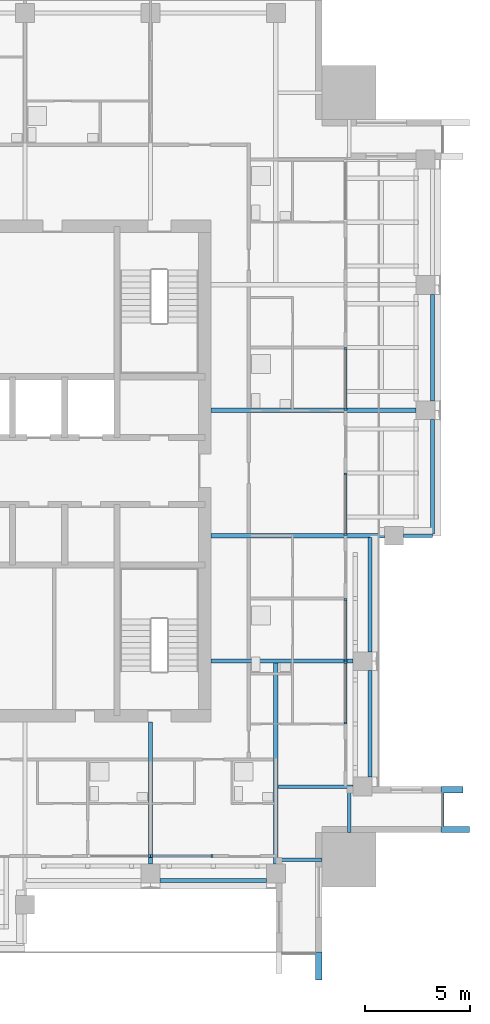
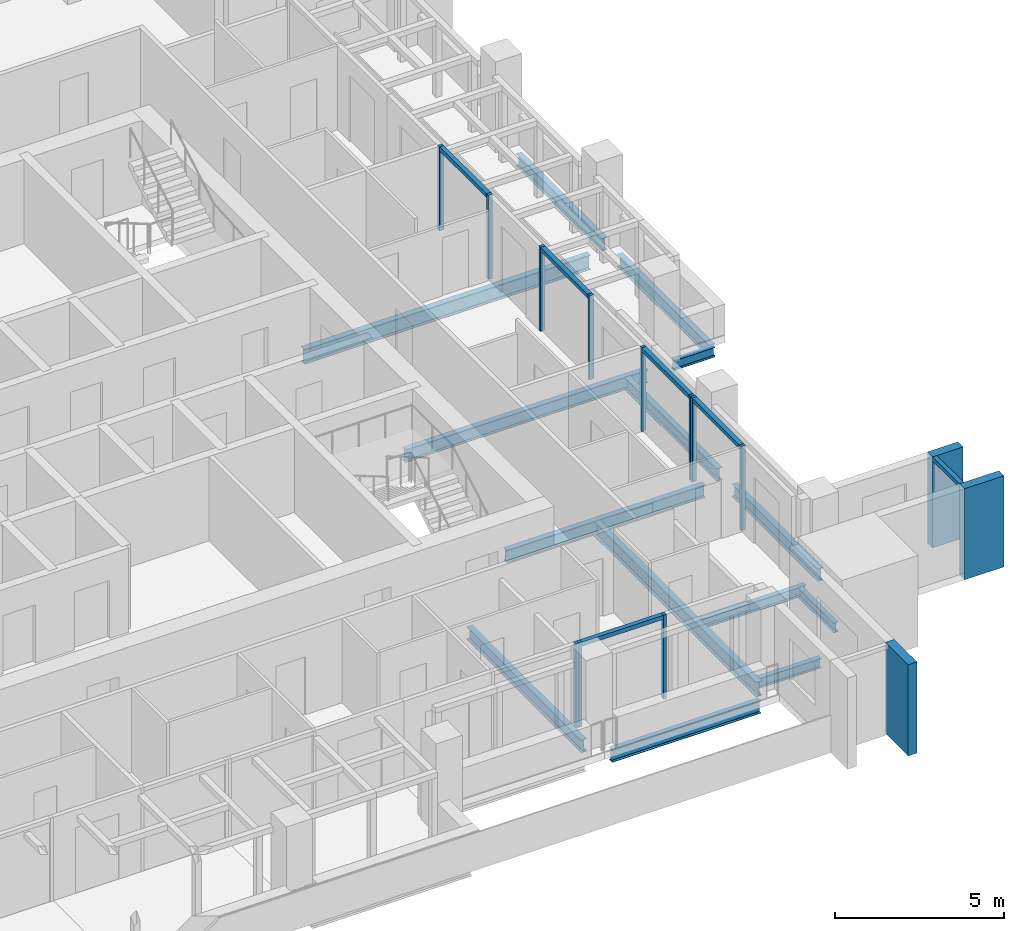
# One storey, part 4 of 17: 20 members, 14 beams, 8 elements without a shape of their own.
"""IFC4 building model written with IfcOpenShell, lengths in metres."""

from ifc_helpers import new_model, si_unit, direction, frame, origin, origin_2d, place, context, subcontext, project, spatial, rectangle, i_section, extrude, material, material_profile, profile_set, type_object, element, aggregate, save


model = new_model("IFC4")

# Units and contexts
model_context = context("Model", 3, precision=1e-05, world=origin(), true_north=direction((0.0, 1.0)))
body_context = subcontext(model_context, "Body", "Model", "MODEL_VIEW")
ifc_project = project(units=[si_unit("LENGTHUNIT", "METRE"), si_unit("AREAUNIT", "SQUARE_METRE"), si_unit("VOLUMEUNIT", "CUBIC_METRE"), si_unit("PLANEANGLEUNIT", "RADIAN"), si_unit("MASSUNIT", "GRAM", prefix="KILO")], contexts=[model_context])

# Site, building, storey
site_placement = place(None, origin())
site = spatial("IfcSite", under=ifc_project, at=site_placement, CompositionType="ELEMENT")
building_placement = place(site_placement, origin())
building = spatial("IfcBuilding", under=site, at=building_placement, Name="Amberfall Residences", CompositionType="ELEMENT")
storey_placement = place(building_placement, frame((0.0, 0.0, 216.699951171875)))
storey = spatial("IfcBuildingStorey", under=building, at=storey_placement, Name="L58", CompositionType="ELEMENT", Elevation=216.699951171875)

# Curtain wall, member
ifc_material_1 = material(Name="Bronze anodised aluminium and glass", Category="aluminium")
curtain_wall_type_1 = type_object("IfcCurtainWallType", Name="Curtain wall CW1 tower unit", PredefinedType="USERDEFINED", material=ifc_material_1)
curtain_wall_1_placement = place(storey_placement, origin())
curtain_wall_1 = element("IfcCurtainWall", 1, at=curtain_wall_1_placement, inside=storey, type_object=curtain_wall_type_1, Name="Curtain wall L58 E E1", ObjectType="UNITISED CURTAIN WALL", PredefinedType="USERDEFINED")
ifc_material_2 = material(Name="Bronze anodised aluminium", Category="aluminium")
ifc_material_profile_1 = material_profile(ifc_material_2, rectangle(XDim=0.14990234375, YDim=0.14990234375, at=origin_2d()), Name="CW1 transom 150 x 150 bronze")
ifc_profile_set_1 = profile_set([ifc_material_profile_1], Name="Bronze anodised aluminium")
member_type_1 = type_object("IfcMemberType", Name="CW1 transom 150 x 150 bronze", PredefinedType="USERDEFINED", material=ifc_profile_set_1)
member_1_placement = place(storey_placement, frame((97.574951171875, 28.5, 2.97509765625), z_axis=(0.0, 1.0, 0.0), x_axis=(-1.0, 0.0, 0.0)))
member_1 = element("IfcMember", 2, at=member_1_placement, type_object=member_type_1, Name="CW1 transom 1.1", ObjectType="TRANSOM", PredefinedType="USERDEFINED", context=body_context, shape_type="SweptSolid", body=[
    extrude(rectangle(XDim=0.14990234375, YDim=0.14990234375, at=origin_2d()), origin(), (0.0, 0.0, 1.0), 1.60009765625),
])

curtain_wall_type_2 = type_object("IfcCurtainWallType", Name="Curtain wall CW3 sky garden glazing", PredefinedType="USERDEFINED", material=ifc_material_1)
curtain_wall_2_placement = place(storey_placement, origin())
curtain_wall_2 = element("IfcCurtainWall", 3, at=curtain_wall_2_placement, inside=storey, type_object=curtain_wall_type_2, Name="Curtain wall L58 S S6", ObjectType="UNITISED CURTAIN WALL", PredefinedType="USERDEFINED")
ifc_material_profile_2 = material_profile(ifc_material_2, rectangle(XDim=0.14990234375, YDim=0.10009765625, at=origin_2d()), Name="CW3 mullion 100 x 150 bronze")
ifc_profile_set_2 = profile_set([ifc_material_profile_2], Name="Bronze anodised aluminium")
member_type_2 = type_object("IfcMemberType", Name="CW3 mullion 100 x 150 bronze", PredefinedType="MULLION", material=ifc_profile_set_2)
member_2_placement = place(storey_placement, frame((83.550048828125, 27.074951171875, 0.0), z_axis=(0.0, 0.0, 1.0), x_axis=(0.0, 1.0, 0.0)))
member_2 = element("IfcMember", 4, at=member_2_placement, type_object=member_type_2, Name="CW3 mullion 2", PredefinedType="MULLION", context=body_context, shape_type="SweptSolid", body=[
    extrude(rectangle(XDim=0.14990234375, YDim=0.10009765625, at=origin_2d()), origin(), (0.0, 0.0, 1.0), 3.050048828125),
])
aggregate(curtain_wall_2, [member_2])

# Curtain wall, members
curtain_wall_3_placement = place(storey_placement, origin())
curtain_wall_3 = element("IfcCurtainWall", 5, at=curtain_wall_3_placement, inside=storey, type_object=curtain_wall_type_2, Name="Curtain wall L58 S S7", ObjectType="UNITISED CURTAIN WALL", PredefinedType="USERDEFINED")
member_3_placement = place(storey_placement, frame((83.64990234375, 27.074951171875, 0.0), z_axis=(0.0, 0.0, 1.0), x_axis=(0.0, 1.0, 0.0)))
member_3 = element("IfcMember", 6, at=member_3_placement, type_object=member_type_2, Name="CW3 mullion 1", PredefinedType="MULLION", context=body_context, shape_type="SweptSolid", body=[
    extrude(rectangle(XDim=0.14990234375, YDim=0.10009765625, at=origin_2d()), origin(), (0.0, 0.0, 1.0), 3.050048828125),
])
member_4_placement = place(storey_placement, frame((86.550048828125, 27.074951171875, 0.0), z_axis=(0.0, 0.0, 1.0), x_axis=(0.0, 1.0, 0.0)))
member_4 = element("IfcMember", 7, at=member_4_placement, type_object=member_type_2, Name="CW3 mullion 2", PredefinedType="MULLION", context=body_context, shape_type="SweptSolid", body=[
    extrude(rectangle(XDim=0.14990234375, YDim=0.10009765625, at=origin_2d()), origin(), (0.0, 0.0, 1.0), 3.050048828125),
])

curtain_wall_4_placement = place(storey_placement, origin())
curtain_wall_4 = element("IfcCurtainWall", 8, at=curtain_wall_4_placement, inside=storey, type_object=curtain_wall_type_2, Name="Curtain wall L58 E E3", ObjectType="UNITISED CURTAIN WALL", PredefinedType="USERDEFINED")
member_5_placement = place(storey_placement, frame((92.925048828125, 33.449951171875, 0.0), z_axis=(0.0, 0.0, 1.0), x_axis=(-1.0, 0.0, 0.0)))
member_5 = element("IfcMember", 9, at=member_5_placement, type_object=member_type_2, Name="CW3 mullion 1", PredefinedType="MULLION", context=body_context, shape_type="SweptSolid", body=[
    extrude(rectangle(XDim=0.14990234375, YDim=0.10009765625, at=origin_2d()), origin(), (0.0, 0.0, 1.0), 3.050048828125),
])
member_6_placement = place(storey_placement, frame((92.925048828125, 36.35009765625, 0.0), z_axis=(0.0, 0.0, 1.0), x_axis=(-1.0, 0.0, 0.0)))
member_6 = element("IfcMember", 10, at=member_6_placement, type_object=member_type_2, Name="CW3 mullion 2", PredefinedType="MULLION", context=body_context, shape_type="SweptSolid", body=[
    extrude(rectangle(XDim=0.14990234375, YDim=0.10009765625, at=origin_2d()), origin(), (0.0, 0.0, 1.0), 3.050048828125),
])

curtain_wall_5_placement = place(storey_placement, origin())
curtain_wall_5 = element("IfcCurtainWall", 11, at=curtain_wall_5_placement, inside=storey, type_object=curtain_wall_type_2, Name="Curtain wall L58 E E4", ObjectType="UNITISED CURTAIN WALL", PredefinedType="USERDEFINED")
member_7_placement = place(storey_placement, frame((92.925048828125, 36.449951171875, 0.0), z_axis=(0.0, 0.0, 1.0), x_axis=(-1.0, 0.0, 0.0)))
member_7 = element("IfcMember", 12, at=member_7_placement, type_object=member_type_2, Name="CW3 mullion 1", PredefinedType="MULLION", context=body_context, shape_type="SweptSolid", body=[
    extrude(rectangle(XDim=0.14990234375, YDim=0.10009765625, at=origin_2d()), origin(), (0.0, 0.0, 1.0), 3.050048828125),
])
member_8_placement = place(storey_placement, frame((92.925048828125, 39.35009765625, 0.0), z_axis=(0.0, 0.0, 1.0), x_axis=(-1.0, 0.0, 0.0)))
member_8 = element("IfcMember", 13, at=member_8_placement, type_object=member_type_2, Name="CW3 mullion 2", PredefinedType="MULLION", context=body_context, shape_type="SweptSolid", body=[
    extrude(rectangle(XDim=0.14990234375, YDim=0.10009765625, at=origin_2d()), origin(), (0.0, 0.0, 1.0), 3.050048828125),
])

curtain_wall_6_placement = place(storey_placement, origin())
curtain_wall_6 = element("IfcCurtainWall", 14, at=curtain_wall_6_placement, inside=storey, type_object=curtain_wall_type_2, Name="Curtain wall L58 E E5", ObjectType="UNITISED CURTAIN WALL", PredefinedType="USERDEFINED")
member_9_placement = place(storey_placement, frame((92.925048828125, 42.449951171875, 0.0), z_axis=(0.0, 0.0, 1.0), x_axis=(-1.0, 0.0, 0.0)))
member_9 = element("IfcMember", 15, at=member_9_placement, type_object=member_type_2, Name="CW3 mullion 1", PredefinedType="MULLION", context=body_context, shape_type="SweptSolid", body=[
    extrude(rectangle(XDim=0.14990234375, YDim=0.10009765625, at=origin_2d()), origin(), (0.0, 0.0, 1.0), 3.050048828125),
])
member_10_placement = place(storey_placement, frame((92.925048828125, 45.35009765625, 0.0), z_axis=(0.0, 0.0, 1.0), x_axis=(-1.0, 0.0, 0.0)))
member_10 = element("IfcMember", 16, at=member_10_placement, type_object=member_type_2, Name="CW3 mullion 2", PredefinedType="MULLION", context=body_context, shape_type="SweptSolid", body=[
    extrude(rectangle(XDim=0.14990234375, YDim=0.10009765625, at=origin_2d()), origin(), (0.0, 0.0, 1.0), 3.050048828125),
])

curtain_wall_7_placement = place(storey_placement, origin())
curtain_wall_7 = element("IfcCurtainWall", 17, at=curtain_wall_7_placement, inside=storey, type_object=curtain_wall_type_2, Name="Curtain wall L58 E E6", ObjectType="UNITISED CURTAIN WALL", PredefinedType="USERDEFINED")
member_11_placement = place(storey_placement, frame((92.925048828125, 48.449951171875, 0.0), z_axis=(0.0, 0.0, 1.0), x_axis=(-1.0, 0.0, 0.0)))
member_11 = element("IfcMember", 18, at=member_11_placement, type_object=member_type_2, Name="CW3 mullion 1", PredefinedType="MULLION", context=body_context, shape_type="SweptSolid", body=[
    extrude(rectangle(XDim=0.14990234375, YDim=0.10009765625, at=origin_2d()), origin(), (0.0, 0.0, 1.0), 3.050048828125),
])
member_12_placement = place(storey_placement, frame((92.925048828125, 51.35009765625, 0.0), z_axis=(0.0, 0.0, 1.0), x_axis=(-1.0, 0.0, 0.0)))
member_12 = element("IfcMember", 19, at=member_12_placement, type_object=member_type_2, Name="CW3 mullion 2", PredefinedType="MULLION", context=body_context, shape_type="SweptSolid", body=[
    extrude(rectangle(XDim=0.14990234375, YDim=0.10009765625, at=origin_2d()), origin(), (0.0, 0.0, 1.0), 3.050048828125),
])

# Member
ifc_material_profile_3 = material_profile(ifc_material_2, rectangle(XDim=0.14990234375, YDim=0.14990234375, at=origin_2d()), Name="CW3 transom 150 x 150 bronze")
ifc_profile_set_3 = profile_set([ifc_material_profile_3], Name="Bronze anodised aluminium")
member_type_3 = type_object("IfcMemberType", Name="CW3 transom 150 x 150 bronze", PredefinedType="USERDEFINED", material=ifc_profile_set_3)
member_13_placement = place(storey_placement, frame((83.699951171875, 27.074951171875, 2.97509765625), z_axis=(1.0, 0.0, 0.0), x_axis=(0.0, 1.0, 0.0)))
member_13 = element("IfcMember", 20, at=member_13_placement, type_object=member_type_3, Name="CW3 transom 1.1", ObjectType="TRANSOM", PredefinedType="USERDEFINED", context=body_context, shape_type="SweptSolid", body=[
    extrude(rectangle(XDim=0.14990234375, YDim=0.14990234375, at=origin_2d()), origin(), (0.0, 0.0, 1.0), 2.800048828125),
])

aggregate(curtain_wall_3, [member_3, member_4, member_13])

member_14_placement = place(storey_placement, frame((92.925048828125, 33.5, 2.97509765625), z_axis=(0.0, 1.0, 0.0), x_axis=(-1.0, 0.0, 0.0)))
member_14 = element("IfcMember", 21, at=member_14_placement, type_object=member_type_3, Name="CW3 transom 1.1", ObjectType="TRANSOM", PredefinedType="USERDEFINED", context=body_context, shape_type="SweptSolid", body=[
    extrude(rectangle(XDim=0.14990234375, YDim=0.14990234375, at=origin_2d()), origin(), (0.0, 0.0, 1.0), 2.800048828125),
])

aggregate(curtain_wall_4, [member_5, member_6, member_14])

member_15_placement = place(storey_placement, frame((92.925048828125, 36.5, 2.97509765625), z_axis=(0.0, 1.0, 0.0), x_axis=(-1.0, 0.0, 0.0)))
member_15 = element("IfcMember", 22, at=member_15_placement, type_object=member_type_3, Name="CW3 transom 1.1", ObjectType="TRANSOM", PredefinedType="USERDEFINED", context=body_context, shape_type="SweptSolid", body=[
    extrude(rectangle(XDim=0.14990234375, YDim=0.14990234375, at=origin_2d()), origin(), (0.0, 0.0, 1.0), 2.800048828125),
])

aggregate(curtain_wall_5, [member_7, member_8, member_15])

member_16_placement = place(storey_placement, frame((92.925048828125, 42.5, 2.97509765625), z_axis=(0.0, 1.0, 0.0), x_axis=(-1.0, 0.0, 0.0)))
member_16 = element("IfcMember", 23, at=member_16_placement, type_object=member_type_3, Name="CW3 transom 1.1", ObjectType="TRANSOM", PredefinedType="USERDEFINED", context=body_context, shape_type="SweptSolid", body=[
    extrude(rectangle(XDim=0.14990234375, YDim=0.14990234375, at=origin_2d()), origin(), (0.0, 0.0, 1.0), 2.800048828125),
])

aggregate(curtain_wall_6, [member_9, member_10, member_16])

member_17_placement = place(storey_placement, frame((92.925048828125, 48.5, 2.97509765625), z_axis=(0.0, 1.0, 0.0), x_axis=(-1.0, 0.0, 0.0)))
member_17 = element("IfcMember", 24, at=member_17_placement, type_object=member_type_3, Name="CW3 transom 1.1", ObjectType="TRANSOM", PredefinedType="USERDEFINED", context=body_context, shape_type="SweptSolid", body=[
    extrude(rectangle(XDim=0.14990234375, YDim=0.14990234375, at=origin_2d()), origin(), (0.0, 0.0, 1.0), 2.800048828125),
])

aggregate(curtain_wall_7, [member_11, member_12, member_17])

# Beam
ifc_material_3 = material(Name="Steel S355", Category="steel")
ifc_material_profile_4 = material_profile(ifc_material_3, i_section(OverallWidth=0.171142578125, OverallDepth=0.351318359375, WebThickness=0.007080078125, FlangeThickness=0.009765625, FilletRadius=0.01025390625, at=origin_2d()), Name="UB 356x171x45")
ifc_profile_set_4 = profile_set([ifc_material_profile_4], Name="Steel S355")
beam_type_1 = type_object("IfcBeamType", Name="Cantilever girder UB 356x171x45", PredefinedType="BEAM", material=ifc_profile_set_4)
beam_1_placement = place(storey_placement, frame((95.699951171875, 42.39990234375, -0.425537109375), z_axis=(1.0, 0.0, 0.0), x_axis=(0.0, 1.0, 0.0)))
element("IfcBeam", 25, at=beam_1_placement, inside=storey, type_object=beam_type_1, Name="Cantilever girder B8 L58 18", PredefinedType="BEAM", context=body_context, shape_type="SweptSolid", body=[
    extrude(i_section(OverallWidth=0.171142578125, OverallDepth=0.351318359375, WebThickness=0.007080078125, FlangeThickness=0.009765625, FilletRadius=0.01025390625, at=origin_2d()), origin(), (0.0, 0.0, 1.0), 1.400146484375),
])

# Curtain wall, member
curtain_wall_8_placement = place(storey_placement, origin())
curtain_wall_8 = element("IfcCurtainWall", 26, at=curtain_wall_8_placement, inside=storey, type_object=curtain_wall_type_1, Name="Curtain wall L58 S S9", ObjectType="UNITISED CURTAIN WALL", PredefinedType="USERDEFINED")
ifc_material_profile_5 = material_profile(ifc_material_2, rectangle(XDim=1.35009765625, YDim=0.300048828125, at=origin_2d()), Name="Corner fin 300 x 1350 bronze")
ifc_profile_set_5 = profile_set([ifc_material_profile_5], Name="Bronze anodised aluminium")
member_type_4 = type_object("IfcMemberType", Name="Corner fin 300 x 1350 bronze", PredefinedType="MULLION", material=ifc_profile_set_5)
member_18_placement = place(storey_placement, frame((91.64990234375, 21.824951171875, -0.25), z_axis=(0.0, 0.0, 1.0), x_axis=(0.0, 1.0, 0.0)))
member_18 = element("IfcMember", 27, at=member_18_placement, type_object=member_type_4, Name="CW FIN 2", PredefinedType="MULLION", context=body_context, shape_type="SweptSolid", body=[
    extrude(rectangle(XDim=1.35009765625, YDim=0.300048828125, at=origin_2d()), origin(), (0.0, 0.0, 1.0), 3.300048828125),
])
aggregate(curtain_wall_8, [member_18])

# Member
member_19_placement = place(storey_placement, frame((98.175048828125, 28.35009765625, -0.25), z_axis=(0.0, 0.0, 1.0), x_axis=(-1.0, 0.0, 0.0)))
member_19 = element("IfcMember", 28, at=member_19_placement, type_object=member_type_4, Name="CW FIN 1", PredefinedType="MULLION", context=body_context, shape_type="SweptSolid", body=[
    extrude(rectangle(XDim=1.35009765625, YDim=0.300048828125, at=origin_2d()), origin(), (0.0, 0.0, 1.0), 3.300048828125),
])

# Beams
ifc_material_profile_6 = material_profile(ifc_material_3, i_section(OverallWidth=0.18994140625, OverallDepth=0.453369140625, WebThickness=0.008544921875, FlangeThickness=0.0126953125, FilletRadius=0.01025390625, at=origin_2d()), Name="UB 457x191x67")
ifc_profile_set_6 = profile_set([ifc_material_profile_6], Name="Steel S355")
beam_type_2 = type_object("IfcBeamType", Name="Edge beam UB 457x191x67", PredefinedType="SPANDREL", material=ifc_profile_set_6)
for number, where, z_axis, x_axis, name in (
    (29, (84.050048828125, 25.89990234375, -0.4765625), (1.0, 0.0, 0.0), (0.0, 1.0, 0.0), "Edge beam B1 L58 05"),
    (30, (94.10009765625, 30.85009765625, -0.4765625), (0.0, 1.0, 0.0), (-1.0, 0.0, 0.0), "Edge beam B1 L58 13"),
):
    element("IfcBeam", number, at=place(storey_placement, frame(where, z_axis=z_axis, x_axis=x_axis)), inside=storey, type_object=beam_type_2, Name=name, PredefinedType="SPANDREL", context=body_context, shape_type="SweptSolid", body=[
        extrude(i_section(OverallWidth=0.18994140625, OverallDepth=0.453369140625, WebThickness=0.008544921875, FlangeThickness=0.0126953125, FilletRadius=0.01025390625, at=origin_2d()), origin(), (0.0, 0.0, 1.0), 5.099853515625),
    ])
for number, where, z_axis, x_axis, name in (
    (31, (94.10009765625, 36.85009765625, -0.4765625), (0.0, 1.0, 0.0), (-1.0, 0.0, 0.0), "Edge beam B1 L58 14"),
    (32, (97.10009765625, 42.47998046875, -0.4765625), (0.0, 1.0, 0.0), (-1.0, 0.0, 0.0), "Edge beam B1 L58 15"),
):
    element("IfcBeam", number, at=place(storey_placement, frame(where, z_axis=z_axis, x_axis=x_axis)), inside=storey, type_object=beam_type_2, Name=name, PredefinedType="SPANDREL", context=body_context, shape_type="SweptSolid", body=[
        extrude(i_section(OverallWidth=0.18994140625, OverallDepth=0.453369140625, WebThickness=0.008544921875, FlangeThickness=0.0126953125, FilletRadius=0.01025390625, at=origin_2d()), origin(), (0.0, 0.0, 1.0), 5.469970703125),
    ])
beam_2_placement = place(storey_placement, frame((97.10009765625, 48.85009765625, -0.4765625), z_axis=(0.0, 1.0, 0.0), x_axis=(-1.0, 0.0, 0.0)))
element("IfcBeam", 33, at=beam_2_placement, inside=storey, type_object=beam_type_2, Name="Edge beam B1 L58 16", PredefinedType="SPANDREL", context=body_context, shape_type="SweptSolid", body=[
    extrude(i_section(OverallWidth=0.18994140625, OverallDepth=0.453369140625, WebThickness=0.008544921875, FlangeThickness=0.0126953125, FilletRadius=0.01025390625, at=origin_2d()), origin(), (0.0, 0.0, 1.0), 5.099853515625),
])

# Member
ifc_material_profile_7 = material_profile(ifc_material_2, rectangle(XDim=1.050048828125, YDim=0.300048828125, at=origin_2d()), Name="Fin 300 x 1050 bronze")
ifc_profile_set_7 = profile_set([ifc_material_profile_7], Name="Bronze anodised aluminium")
member_type_5 = type_object("IfcMemberType", Name="Fin 300 x 1050 bronze", PredefinedType="MULLION", material=ifc_profile_set_7)
member_20_placement = place(storey_placement, frame((98.02490234375, 30.25, -0.25), z_axis=(0.0, 0.0, 1.0), x_axis=(-1.0, 0.0, 0.0)))
member_20 = element("IfcMember", 34, at=member_20_placement, type_object=member_type_5, Name="CW FIN 2", PredefinedType="MULLION", context=body_context, shape_type="SweptSolid", body=[
    extrude(rectangle(XDim=1.050048828125, YDim=0.300048828125, at=origin_2d()), origin(), (0.0, 0.0, 1.0), 3.300048828125),
])

aggregate(curtain_wall_1, [member_19, member_20, member_1])

# Beams
ifc_material_profile_8 = material_profile(ifc_material_3, i_section(OverallWidth=0.171142578125, OverallDepth=0.351318359375, WebThickness=0.007080078125, FlangeThickness=0.009765625, FilletRadius=0.01025390625, at=origin_2d()), Name="UB 356x171x45")
ifc_profile_set_8 = profile_set([ifc_material_profile_8], Name="Steel S355")
beam_type_3 = type_object("IfcBeamType", Name="Floor girder UB 356x171x45", PredefinedType="BEAM", material=ifc_profile_set_8)
beam_3_placement = place(storey_placement, frame((93.300048828125, 30.39990234375, -0.425537109375), z_axis=(-1.0, 0.0, 0.0), x_axis=(0.0, -1.0, 0.0)))
element("IfcBeam", 35, at=beam_3_placement, inside=storey, type_object=beam_type_3, Name="Floor girder B11 L58 19", PredefinedType="BEAM", context=body_context, shape_type="SweptSolid", body=[
    extrude(i_section(OverallWidth=0.171142578125, OverallDepth=0.351318359375, WebThickness=0.007080078125, FlangeThickness=0.009765625, FilletRadius=0.01025390625, at=origin_2d()), origin(), (0.0, 0.0, 1.0), 3.580078125),
])
ifc_material_profile_9 = material_profile(ifc_material_3, i_section(OverallWidth=0.19140625, OverallDepth=0.4599609375, WebThickness=0.010009765625, FlangeThickness=0.01611328125, FilletRadius=0.01025390625, at=origin_2d()), Name="UB 457x191x82")
ifc_profile_set_9 = profile_set([ifc_material_profile_9], Name="Steel S355")
beam_type_4 = type_object("IfcBeamType", Name="Floor girder UB 457x191x82", PredefinedType="BEAM", material=ifc_profile_set_9)
for number, where, z_axis, x_axis, name in (
    (36, (83.60009765625, 26.699951171875, -0.47998046875), (0.0, 1.0, 0.0), (-1.0, 0.0, 0.0), "Floor girder B10 L58 11"),
    (37, (93.300048828125, 36.39990234375, -0.47998046875), (-1.0, 0.0, 0.0), (0.0, -1.0, 0.0), "Floor girder B10 L58 20"),
):
    element("IfcBeam", number, at=place(storey_placement, frame(where, z_axis=z_axis, x_axis=x_axis)), inside=storey, type_object=beam_type_4, Name=name, PredefinedType="BEAM", context=body_context, shape_type="SweptSolid", body=[
        extrude(i_section(OverallWidth=0.19140625, OverallDepth=0.4599609375, WebThickness=0.010009765625, FlangeThickness=0.01611328125, FilletRadius=0.01025390625, at=origin_2d()), origin(), (0.0, 0.0, 1.0), 6.800048828125),
    ])
beam_4_placement = place(storey_placement, frame((94.800048828125, 42.39990234375, -0.47998046875), z_axis=(-1.0, 0.0, 0.0), x_axis=(0.0, -1.0, 0.0)))
element("IfcBeam", 38, at=beam_4_placement, inside=storey, type_object=beam_type_4, Name="Floor girder B10 L58 21", PredefinedType="BEAM", context=body_context, shape_type="SweptSolid", body=[
    extrude(i_section(OverallWidth=0.19140625, OverallDepth=0.4599609375, WebThickness=0.010009765625, FlangeThickness=0.01611328125, FilletRadius=0.01025390625, at=origin_2d()), origin(), (0.0, 0.0, 1.0), 8.300048828125),
])
ifc_material_profile_10 = material_profile(ifc_material_3, i_section(OverallWidth=0.209228515625, OverallDepth=0.533203125, WebThickness=0.010009765625, FlangeThickness=0.015625, FilletRadius=0.0126953125, at=origin_2d()), Name="UB 533x210x92")
ifc_profile_set_10 = profile_set([ifc_material_profile_10], Name="Steel S355")
beam_type_5 = type_object("IfcBeamType", Name="Floor girder UB 533x210x92", PredefinedType="BEAM", material=ifc_profile_set_10)
beam_5_placement = place(storey_placement, frame((89.60009765625, 26.699951171875, -0.5166015625), z_axis=(0.0, 1.0, 0.0), x_axis=(-1.0, 0.0, 0.0)))
element("IfcBeam", 39, at=beam_5_placement, inside=storey, type_object=beam_type_5, Name="Floor girder B3 L58 12", PredefinedType="BEAM", context=body_context, shape_type="SweptSolid", body=[
    extrude(i_section(OverallWidth=0.209228515625, OverallDepth=0.533203125, WebThickness=0.010009765625, FlangeThickness=0.015625, FilletRadius=0.0126953125, at=origin_2d()), origin(), (0.0, 0.0, 1.0), 9.609375),
])
beam_6_placement = place(storey_placement, frame((96.300048828125, 48.39990234375, -0.5166015625), z_axis=(-1.0, 0.0, 0.0), x_axis=(0.0, -1.0, 0.0)))
element("IfcBeam", 40, at=beam_6_placement, inside=storey, type_object=beam_type_5, Name="Floor girder B3 L58 22", PredefinedType="BEAM", context=body_context, shape_type="SweptSolid", body=[
    extrude(i_section(OverallWidth=0.209228515625, OverallDepth=0.533203125, WebThickness=0.010009765625, FlangeThickness=0.015625, FilletRadius=0.0126953125, at=origin_2d()), origin(), (0.0, 0.0, 1.0), 9.800048828125),
])
ifc_material_profile_11 = material_profile(ifc_material_3, i_section(OverallWidth=0.171142578125, OverallDepth=0.351318359375, WebThickness=0.007080078125, FlangeThickness=0.009765625, FilletRadius=0.01025390625, at=origin_2d()), Name="UB 356x171x45")
ifc_profile_set_11 = profile_set([ifc_material_profile_11], Name="Steel S355")
beam_type_6 = type_object("IfcBeamType", Name="Link beam UB 356x171x45", PredefinedType="BEAM", material=ifc_profile_set_11)
beam_7_placement = place(storey_placement, frame((91.800048828125, 26.89990234375, -0.425537109375), z_axis=(-1.0, 0.0, 0.0), x_axis=(0.0, -1.0, 0.0)))
element("IfcBeam", 41, at=beam_7_placement, inside=storey, type_object=beam_type_6, Name="Link beam B7 L58 49", PredefinedType="BEAM", context=body_context, shape_type="SweptSolid", body=[
    extrude(i_section(OverallWidth=0.171142578125, OverallDepth=0.351318359375, WebThickness=0.007080078125, FlangeThickness=0.009765625, FilletRadius=0.01025390625, at=origin_2d()), origin(), (0.0, 0.0, 1.0), 2.10546875),
])
beam_8_placement = place(storey_placement, frame((93.10009765625, 28.199951171875, -0.425537109375), z_axis=(0.0, 1.0, 0.0), x_axis=(-1.0, 0.0, 0.0)))
element("IfcBeam", 42, at=beam_8_placement, inside=storey, type_object=beam_type_6, Name="Link beam B7 L58 50", PredefinedType="BEAM", context=body_context, shape_type="SweptSolid", body=[
    extrude(i_section(OverallWidth=0.171142578125, OverallDepth=0.351318359375, WebThickness=0.007080078125, FlangeThickness=0.009765625, FilletRadius=0.01025390625, at=origin_2d()), origin(), (0.0, 0.0, 1.0), 2.12451171875),
])

save(model, "model.ifc")
